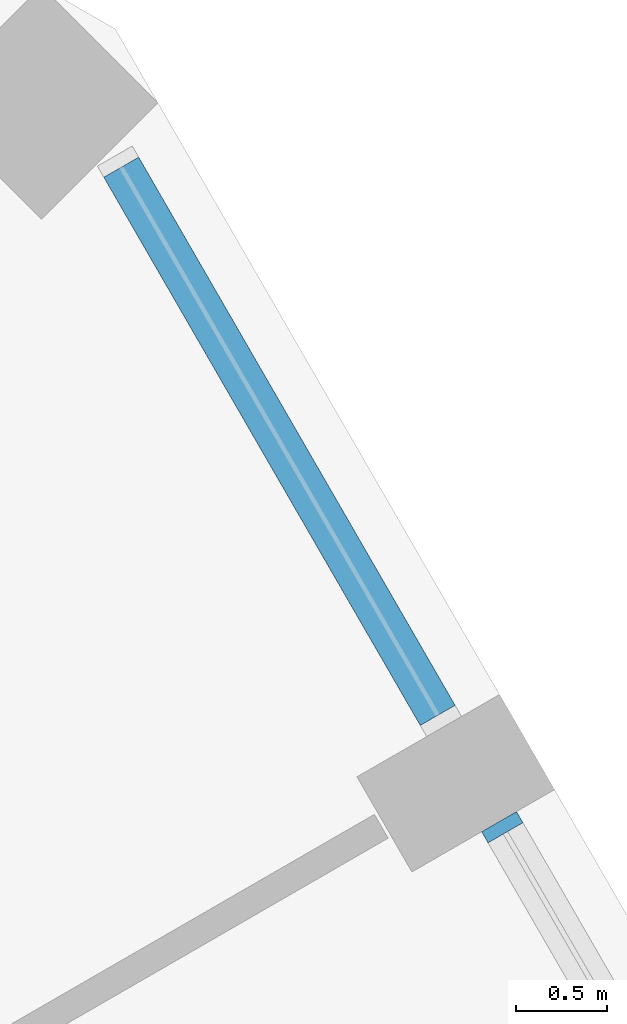
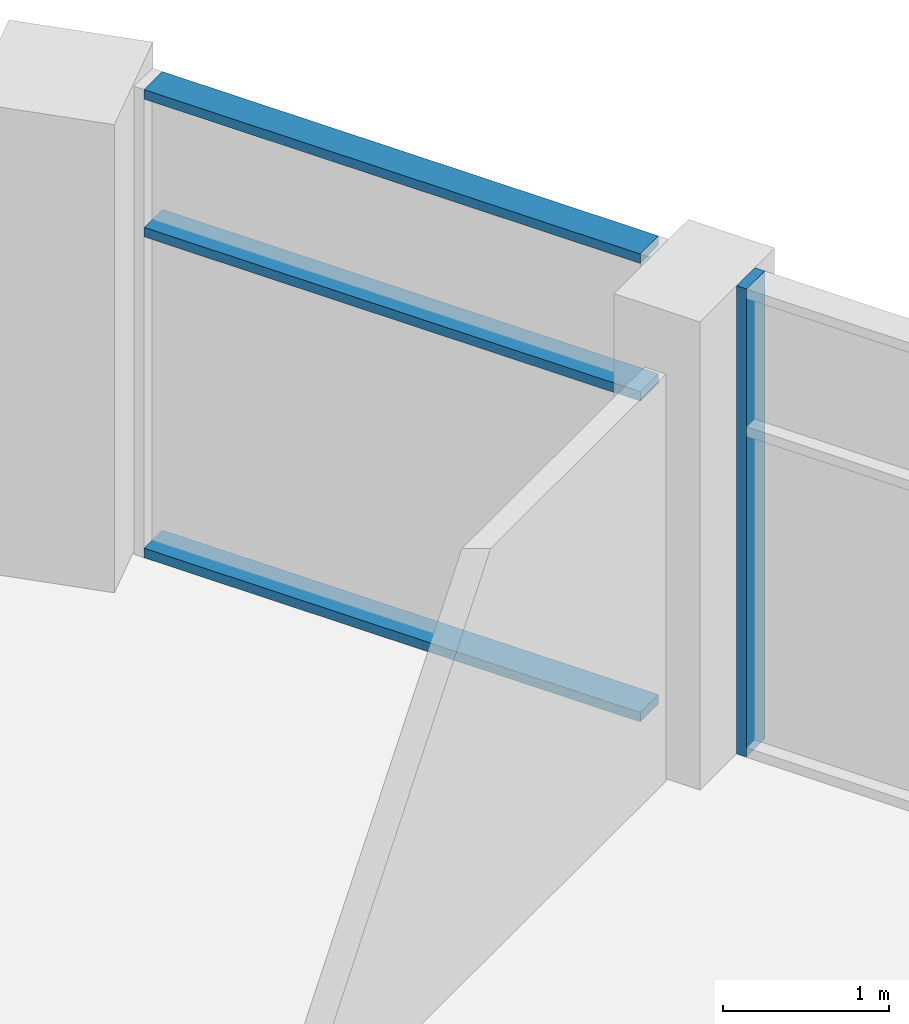
# One storey, part 6 of 15: 4 members, 2 elements without a shape of their own.
"""IFC4 building model written with IfcOpenShell, lengths in metres."""

import ifcopenshell
import ifcopenshell.guid

model = None  # the IFC model being written
_history = None  # IfcOwnerHistory: only IFC2X3 demands one
_inside = {}  # id of a spatial element -> (the spatial element, [elements in it])
_under = {}  # id of a project, library or spatial element -> (it, [spatial elements below it])
_declared = {}  # id of a project -> (the project, [libraries it declares])
_typed = {}  # id of a type object -> (the type object, [elements of that type])
_made_of = {}  # id of a material, layer set ... -> (it, [elements and type objects made of it])


def new_model(schema):
    """Start an empty IFC model of exactly this schema.

    Asked for "IFC4X3", IfcOpenShell would pick the latest addendum, in which some entities
    have other attributes; the version numbers below select the first issue.
    IFC2X3 requires an IfcOwnerHistory on every rooted entity: one is made here for all.
    """
    global model, _history
    if schema == "IFC4X3":
        model = ifcopenshell.file(schema_version=(4, 3, 0, 0))
    else:
        model = ifcopenshell.file(schema=schema)
    _inside.clear()
    _under.clear()
    _declared.clear()
    _typed.clear()
    _made_of.clear()
    _history = None
    if model.schema == "IFC2X3":
        org = make("IfcOrganization", Name="unknown")
        user = make(
            "IfcPersonAndOrganization",
            ThePerson=make("IfcPerson", FamilyName="unknown"),
            TheOrganization=org,
        )
        app = make(
            "IfcApplication",
            ApplicationDeveloper=org,
            Version="unknown",
            ApplicationFullName="unknown",
            ApplicationIdentifier="unknown",
        )
        _history = make(
            "IfcOwnerHistory",
            OwningUser=user,
            OwningApplication=app,
            ChangeAction="ADDED",
            CreationDate=0,
        )
    return model


def make(cls, **values):
    """One entity of the class cls with the attributes given. An attribute that is None is left unset."""
    return model.create_entity(
        cls, **{name: value for name, value in values.items() if value is not None}
    )


def rooted(cls, **values):
    """An entity with a GlobalId (a new one), such as an element, a storey or a relation."""
    return make(cls, GlobalId=ifcopenshell.guid.new(), OwnerHistory=_history, **values)


def si_unit(unit_type, name, prefix=None):
    """IfcSIUnit, for example si_unit("LENGTHUNIT", "METRE", prefix="MILLI")."""
    return make("IfcSIUnit", UnitType=unit_type, Prefix=prefix, Name=name)


def assignment(units):
    """IfcUnitAssignment: the units of a project."""
    return None if units is None else make("IfcUnitAssignment", Units=units)


def point(xyz):
    """IfcCartesianPoint."""
    return None if xyz is None else make("IfcCartesianPoint", Coordinates=xyz)


def direction(xyz):
    """IfcDirection."""
    return None if xyz is None else make("IfcDirection", DirectionRatios=xyz)


def frame(location, z_axis=None, x_axis=None):
    """IfcAxis2Placement3D, a coordinate frame: its origin and axes. An axis left out is left unset."""
    return make(
        "IfcAxis2Placement3D",
        Location=point(location),
        Axis=direction(z_axis),
        RefDirection=direction(x_axis),
    )


def frame_2d(location, x_axis=None):
    """IfcAxis2Placement2D, a coordinate frame in the plane: its origin and x axis."""
    return make(
        "IfcAxis2Placement2D", Location=point(location), RefDirection=direction(x_axis)
    )


def origin():
    """The frame at (0, 0, 0) with its axes left unset."""
    return frame((0.0, 0.0, 0.0))


def origin_2d():
    """The frame at (0, 0) in the plane with its x axis left unset."""
    return frame_2d((0.0, 0.0))


def place(relative_to, where):
    """IfcLocalPlacement: puts the frame where relative to a parent placement (None: the world)."""
    return make(
        "IfcLocalPlacement", PlacementRelTo=relative_to, RelativePlacement=where
    )


def context(
    kind, dimensions, precision=None, world=None, true_north=None, identifier=None
):
    """IfcGeometricRepresentationContext, for example the 3D "Model" context."""
    return make(
        "IfcGeometricRepresentationContext",
        ContextIdentifier=identifier,
        ContextType=kind,
        CoordinateSpaceDimension=dimensions,
        Precision=precision,
        WorldCoordinateSystem=world,
        TrueNorth=true_north,
    )


def subcontext(parent, identifier, kind, view, scale=None):
    """IfcGeometricRepresentationSubContext, for example "Body" below "Model"."""
    return make(
        "IfcGeometricRepresentationSubContext",
        ContextIdentifier=identifier,
        ContextType=kind,
        ParentContext=parent,
        TargetScale=scale,
        TargetView=view,
    )


def project(units=None, contexts=None):
    """IfcProject with its units and contexts."""
    return rooted(
        "IfcProject",
        Name="project",
        RepresentationContexts=contexts,
        UnitsInContext=assignment(units),
    )


def spatial(cls, under=None, at=None, **own):
    """A site, building, storey or space (cls), placed at a placement, below another one or the project."""
    s = rooted(cls, ObjectPlacement=at, **own)
    if under is not None:
        _under.setdefault(under.id(), (under, []))[1].append(s)
    return s


def profile(cls, at=None, kind="AREA", **sizes):
    """A parametric profile (cls). Its sizes go by their IFC names, for example OverallWidth=200.0."""
    return make(cls, ProfileType=kind, Position=at, **sizes)


def rectangle(**sizes):
    """IfcRectangleProfileDef."""
    return profile("IfcRectangleProfileDef", **sizes)


def extrude(swept, where, along, depth):
    """IfcExtrudedAreaSolid: the profile swept, set in the frame where, extruded along a direction by depth."""
    return make(
        "IfcExtrudedAreaSolid",
        SweptArea=swept,
        Position=where,
        ExtrudedDirection=direction(along),
        Depth=depth,
    )


def shape(context_of_items, identifier, shape_type, items):
    """IfcShapeRepresentation: the items that make up one representation, for example the "Body"."""
    return make(
        "IfcShapeRepresentation",
        ContextOfItems=context_of_items,
        RepresentationIdentifier=identifier,
        RepresentationType=shape_type,
        Items=items,
    )


def material(Name=None, Category=None):
    """IfcMaterial."""
    return make("IfcMaterial", Name=Name, Category=Category)


def layer(
    of_material, thickness, ventilated=None, Name=None, Category=None, Priority=None
):
    """IfcMaterialLayer: one layer of a wall or slab, of a material (None: an air gap)."""
    return make(
        "IfcMaterialLayer",
        Material=of_material,
        LayerThickness=thickness,
        IsVentilated=ventilated,
        Name=Name,
        Category=Category,
        Priority=Priority,
    )


def layer_set(layers, Name=None):
    """IfcMaterialLayerSet."""
    return make("IfcMaterialLayerSet", MaterialLayers=layers, LayerSetName=Name)


def material_profile(
    of_material, cross_section, Name=None, Category=None, Priority=None
):
    """IfcMaterialProfile: a cross section and its material."""
    return make(
        "IfcMaterialProfile",
        Name=Name,
        Material=of_material,
        Profile=cross_section,
        Priority=Priority,
        Category=Category,
    )


def profile_set(profiles, Name=None, composite=None):
    """IfcMaterialProfileSet."""
    return make(
        "IfcMaterialProfileSet",
        Name=Name,
        MaterialProfiles=profiles,
        CompositeProfile=composite,
    )


def made_of(thing, what):
    """Note that an element or type object is made of a material, layer set ...; save() writes the relation."""
    if what is not None:
        _made_of.setdefault(what.id(), (what, []))[1].append(thing)
    return thing


def type_object(cls, material=None, **own):
    """A type object (cls), such as IfcWallType, which elements share."""
    return made_of(rooted(cls, **own), material)


def element(
    cls,
    number,
    at=None,
    inside=None,
    cuts=None,
    type_object=None,
    material=None,
    context=None,
    identifier="Body",
    shape_type=None,
    held_by="IfcProductDefinitionShape",
    body=None,
    shapes=None,
    **own,
):
    """One element of the class cls, such as IfcWall. Its Tag is "e" and its number.

    at: its placement. inside: the storey or other place that contains it. cuts: it is an
    opening in that element (IfcRelVoidsElement). A single representation is given by context,
    identifier, shape_type and body (its items); several are given by shapes. held_by: the class
    of the entity that holds the representations. save() writes the other relations.
    """
    e = rooted(cls, Tag="e%d" % number, ObjectPlacement=at, **own)
    if body is not None:
        shapes = [shape(context, identifier, shape_type, body)]
    if shapes is not None:
        e.Representation = make(held_by, Representations=shapes)
    if inside is not None:
        _inside.setdefault(inside.id(), (inside, []))[1].append(e)
    if cuts is not None:
        rooted(
            "IfcRelVoidsElement", RelatingBuildingElement=cuts, RelatedOpeningElement=e
        )
    if type_object is not None:
        _typed.setdefault(type_object.id(), (type_object, []))[1].append(e)
    return made_of(e, material)


def aggregate(whole, parts):
    """IfcRelAggregates: a whole, such as a stair, and the parts it consists of."""
    return rooted("IfcRelAggregates", RelatingObject=whole, RelatedObjects=parts)


def save(model, path):
    """Write the relations noted so far, then the file.

    IfcRelAggregates (storeys below a building ...), IfcRelContainedInSpatialStructure (elements
    in a storey), IfcRelDefinesByType, IfcRelAssociatesMaterial and IfcRelDeclares: one each for
    every whole, place, type object, material and project.
    """
    for whole, parts in _under.values():
        aggregate(whole, parts)
    for where, things in _inside.values():
        rooted(
            "IfcRelContainedInSpatialStructure",
            RelatedElements=things,
            RelatingStructure=where,
        )
    for kind, things in _typed.values():
        rooted("IfcRelDefinesByType", RelatedObjects=things, RelatingType=kind)
    for what, things in _made_of.values():
        rooted("IfcRelAssociatesMaterial", RelatedObjects=things, RelatingMaterial=what)
    for by, libraries in _declared.values():
        rooted("IfcRelDeclares", RelatingContext=by, RelatedDefinitions=libraries)
    model.write(path)


model = new_model("IFC4")

# Units and contexts
model_context = context("Model", 3, precision=1e-05, world=origin(), true_north=direction((0.0, 1.0)))
body_context = subcontext(model_context, "Body", "Model", "MODEL_VIEW")
ifc_project = project(units=[si_unit("LENGTHUNIT", "METRE"), si_unit("AREAUNIT", "SQUARE_METRE"), si_unit("VOLUMEUNIT", "CUBIC_METRE"), si_unit("PLANEANGLEUNIT", "RADIAN"), si_unit("MASSUNIT", "GRAM", prefix="KILO")], contexts=[model_context])

# Site, building, storey
site_placement = place(None, origin())
site = spatial("IfcSite", under=ifc_project, at=site_placement, CompositionType="ELEMENT")
building_placement = place(site_placement, origin())
building = spatial("IfcBuilding", under=site, at=building_placement, Name="Dhurran Vertical Campus", CompositionType="ELEMENT")
storey_placement = place(building_placement, frame((0.0, 0.0, 306.0)))
storey = spatial("IfcBuildingStorey", under=building, at=storey_placement, Name="L76", CompositionType="ELEMENT", Elevation=306.0)

# Curtain wall, member
ifc_material_1 = material(Name="Aluminium frame with solar-control glass", Category="aluminium")
ifc_layer = layer(ifc_material_1, 0.219970703125)
ifc_layer_set = layer_set([ifc_layer], Name="Aluminium frame with solar-control glass")
curtain_wall_type = type_object("IfcCurtainWallType", Name="Student lounge glazing system", PredefinedType="NOTDEFINED", material=ifc_layer_set)
curtain_wall_1_placement = place(storey_placement, origin())
curtain_wall_1 = element("IfcCurtainWall", 1, at=curtain_wall_1_placement, inside=storey, type_object=curtain_wall_type, Name="CW5 L76.15", PredefinedType="NOTDEFINED")
ifc_material_2 = material(Name="Aluminium mullion", Category="aluminium")
ifc_material_profile_1 = material_profile(ifc_material_2, rectangle(XDim=0.219970703125, YDim=0.070068359375, at=origin_2d()), Name="Student lounge glazing system mullion")
ifc_profile_set_1 = profile_set([ifc_material_profile_1], Name="Aluminium mullion")
member_type_1 = type_object("IfcMemberType", Name="Student lounge glazing system mullion", PredefinedType="MULLION", material=ifc_profile_set_1)
member_1_placement = place(storey_placement, frame((21.76171875, 13.475830078125, 0.0), z_axis=(0.0, 0.0, 1.0), x_axis=(-0.866023284668, -0.5000036704, 0.0)))
member_1 = element("IfcMember", 2, at=member_1_placement, type_object=member_type_1, Name="CW5 mullion 2", PredefinedType="MULLION", context=body_context, shape_type="SweptSolid", body=[
    extrude(rectangle(XDim=0.219970703125, YDim=0.070068359375, at=origin_2d()), origin(), (0.0, 0.0, 1.0), 3.449951171875),
])
aggregate(curtain_wall_1, [member_1])

# Curtain wall, members
curtain_wall_2_placement = place(storey_placement, origin())
curtain_wall_2 = element("IfcCurtainWall", 3, at=curtain_wall_2_placement, inside=storey, type_object=curtain_wall_type, Name="CW5 L76.16", PredefinedType="NOTDEFINED")
ifc_material_3 = material(Name="Aluminium transom", Category="aluminium")
ifc_material_profile_2 = material_profile(ifc_material_3, rectangle(XDim=0.219970703125, YDim=0.070068359375, at=origin_2d()), Name="Student lounge glazing system transom")
ifc_profile_set_2 = profile_set([ifc_material_profile_2], Name="Aluminium transom")
member_type_2 = type_object("IfcMemberType", Name="Student lounge glazing system transom", PredefinedType="USERDEFINED", material=ifc_profile_set_2)
member_2_placement = place(storey_placement, frame((21.40869140625, 14.087158203125, 0.034912109375), z_axis=(-0.499934233803, 0.866063370586, 0.0), x_axis=(-0.866063370586, -0.499934233803, 0.0)))
member_2 = element("IfcMember", 4, at=member_2_placement, type_object=member_type_2, Name="CW5 transom 1.1", ObjectType="TRANSOM", PredefinedType="USERDEFINED", context=body_context, shape_type="SweptSolid", body=[
    extrude(rectangle(XDim=0.219970703125, YDim=0.070068359375, at=origin_2d()), origin(), (0.0, 0.0, 1.0), 3.45947265625),
])
member_3_placement = place(storey_placement, frame((21.40869140625, 14.087158203125, 2.39990234375), z_axis=(-0.499934233803, 0.866063370586, 0.0), x_axis=(-0.866063370586, -0.499934233803, 0.0)))
member_3 = element("IfcMember", 5, at=member_3_placement, type_object=member_type_2, Name="CW5 transom 1.2", ObjectType="TRANSOM", PredefinedType="USERDEFINED", context=body_context, shape_type="SweptSolid", body=[
    extrude(rectangle(XDim=0.219970703125, YDim=0.070068359375, at=origin_2d()), origin(), (0.0, 0.0, 1.0), 3.45947265625),
])
member_4_placement = place(storey_placement, frame((21.40869140625, 14.087158203125, 3.4150390625), z_axis=(-0.499934233803, 0.866063370586, 0.0), x_axis=(-0.866063370586, -0.499934233803, 0.0)))
member_4 = element("IfcMember", 6, at=member_4_placement, type_object=member_type_2, Name="CW5 transom 1.3", ObjectType="TRANSOM", PredefinedType="USERDEFINED", context=body_context, shape_type="SweptSolid", body=[
    extrude(rectangle(XDim=0.219970703125, YDim=0.070068359375, at=origin_2d()), origin(), (0.0, 0.0, 1.0), 3.45947265625),
])
aggregate(curtain_wall_2, [member_2, member_3, member_4])

save(model, "model.ifc")
